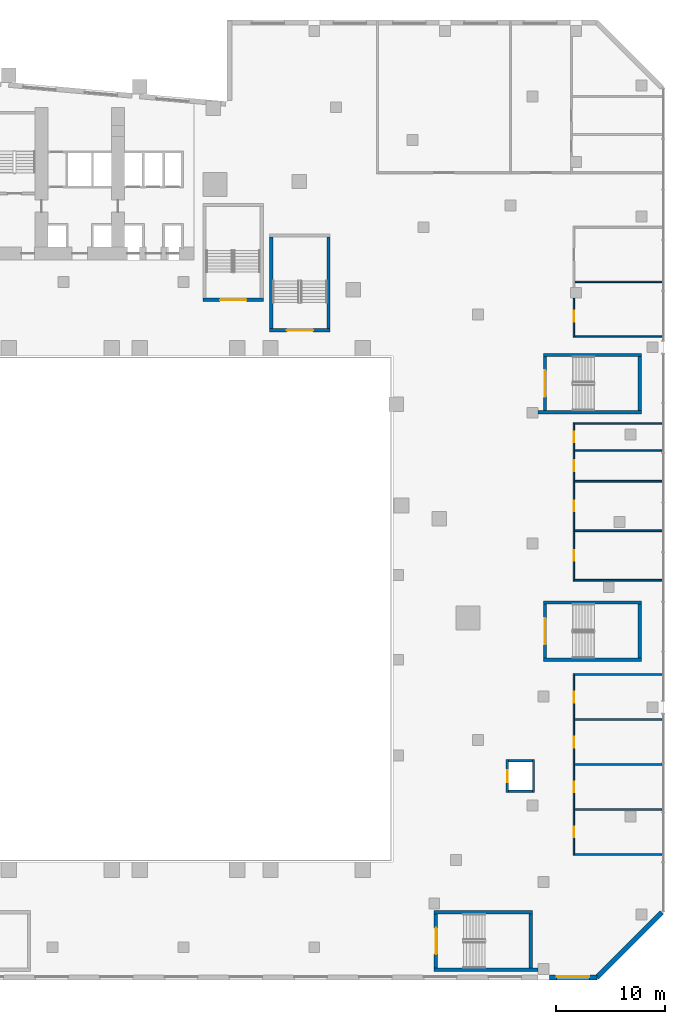
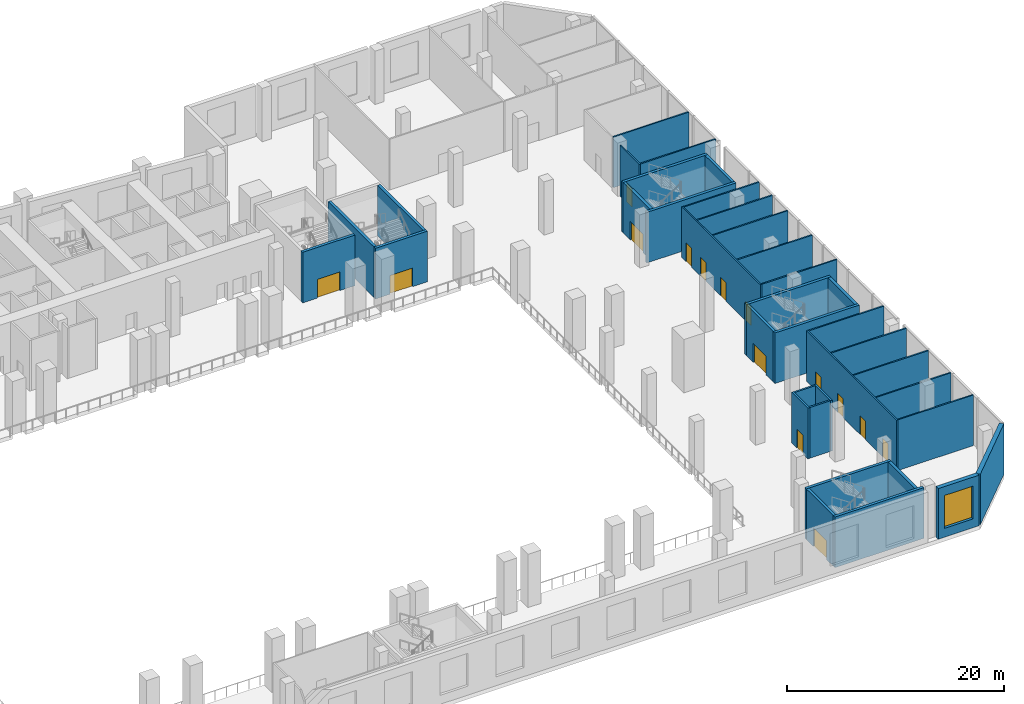
# One storey, part 13 of 30: 37 walls, 15 doors, 1 window, 16 openings.
"""IFC4 building model written with IfcOpenShell, lengths in metres."""

from ifc_helpers import new_model, si_unit, direction, frame, frame_2d, origin, place, context, subcontext, project, spatial, rectangle, extrude, material, layer, layer_set, type_object, element, fill, save


model = new_model("IFC4")

# Units and contexts
model_context = context("Model", 3, precision=1e-05, world=origin(), true_north=direction((0.0, 1.0)))
body_context = subcontext(model_context, "Body", "Model", "MODEL_VIEW")
ifc_project = project(units=[si_unit("LENGTHUNIT", "METRE"), si_unit("AREAUNIT", "SQUARE_METRE"), si_unit("VOLUMEUNIT", "CUBIC_METRE"), si_unit("PLANEANGLEUNIT", "RADIAN"), si_unit("MASSUNIT", "GRAM", prefix="KILO")], contexts=[model_context])

# Site, building, storey
site_placement = place(None, origin())
site = spatial("IfcSite", under=ifc_project, at=site_placement, CompositionType="ELEMENT")
building_placement = place(site_placement, origin())
building = spatial("IfcBuilding", under=site, at=building_placement, Name="Wharfspan Tower", CompositionType="ELEMENT")
storey_placement = place(building_placement, frame((0.0, 0.0, 21.5)))
storey = spatial("IfcBuildingStorey", under=building, at=storey_placement, Name="L03", CompositionType="ELEMENT", Elevation=21.5)

# Walls
ifc_material_1 = material(Name="Calcium silicate masonry", Category="masonry")
ifc_layer_1 = layer(ifc_material_1, 0.149902)
ifc_layer_set_1 = layer_set([ifc_layer_1], Name="Calcium silicate masonry")
wall_type_1 = type_object("IfcWallType", Name="Podium room wall 150", PredefinedType="PARTITIONING", material=ifc_layer_set_1)
for number, where, z_axis, x_axis, name in (
    (1, (99.875, -20.5, 0.0), (0.0, 0.0, 1.0), (1.0, 0.0, 0.0), "iw:L03:2"),
    (2, (99.875, -16.375, 0.0), (0.0, 0.0, 1.0), (1.0, 0.0, 0.0), "iw:L03:7"),
    (3, (99.875, -12.25, 0.0), (0.0, 0.0, 1.0), (1.0, 0.0, 0.0), "iw:L03:9"),
    (4, (99.875, -8.125, 0.0), (0.0, 0.0, 1.0), (1.0, 0.0, 0.0), "iw:L03:11"),
    (5, (99.875, -4.0, 0.0), (0.0, 0.0, 1.0), (1.0, 0.0, 0.0), "iw:L03:13"),
    (6, (99.875, 19.0, 0.0), (0.0, 0.0, 1.0), (1.0, 0.0, 0.0), "iw:L03:19"),
    (7, (99.875, 4.649902, 0.0), (0.0, 0.0, 1.0), (1.0, 0.0, 0.0), "iw:L03:20"),
    (8, (99.875, 9.181885, 0.0), (0.0, 0.0, 1.0), (1.0, 0.0, 0.0), "iw:L03:21"),
):
    element("IfcWall", number, at=place(storey_placement, frame(where, z_axis=z_axis, x_axis=x_axis)), inside=storey, type_object=wall_type_1, Name=name, PredefinedType="PARTITIONING", context=body_context, shape_type="SweptSolid", body=[
        extrude(rectangle(XDim=8.02002, YDim=0.149902, at=frame_2d((4.01001, 0.0))), origin(), (0.0, 0.0, 1.0), 5.699951),
    ])

# Wall, openings, doors
wall_1_placement = place(storey_placement, frame((99.800049, -20.574951, 0.0), z_axis=(0.0, 0.0, 1.0), x_axis=(0.0, 1.0, 0.0)))
wall_1 = element("IfcWall", 9, at=wall_1_placement, inside=storey, type_object=wall_type_1, Name="iw:L03:22", PredefinedType="PARTITIONING", context=body_context, shape_type="SweptSolid", body=[
    extrude(rectangle(XDim=16.649902, YDim=0.149902, at=frame_2d((8.324951, 0.0))), origin(), (0.0, 0.0, 1.0), 5.699951),
])
opening_1_placement = place(wall_1_placement, frame((1.637451, 0.0, 0.0)))
opening_1 = element("IfcOpeningElement", 10, at=opening_1_placement, cuts=wall_1, Name="Opening PD03.16", PredefinedType="OPENING", context=body_context, shape_type="SweptSolid", body=[
    extrude(rectangle(XDim=1.0, YDim=2.100098, at=frame_2d((0.5, 1.050049))), frame((0.0, 0.084961, 0.0), z_axis=(0.0, -1.0, 0.0), x_axis=(1.0, 0.0, 0.0)), (0.0, 0.0, 1.0), 0.169922),
])
opening_2_placement = place(wall_1_placement, frame((5.762451, 0.0, 0.0)))
opening_2 = element("IfcOpeningElement", 11, at=opening_2_placement, cuts=wall_1, Name="Opening PD03.17", PredefinedType="OPENING", context=body_context, shape_type="SweptSolid", body=[
    extrude(rectangle(XDim=1.0, YDim=2.100098, at=frame_2d((0.5, 1.050049))), frame((0.0, 0.084961, 0.0), z_axis=(0.0, -1.0, 0.0), x_axis=(1.0, 0.0, 0.0)), (0.0, 0.0, 1.0), 0.169922),
])
opening_3_placement = place(wall_1_placement, frame((9.887451, 0.0, 0.0)))
opening_3 = element("IfcOpeningElement", 12, at=opening_3_placement, cuts=wall_1, Name="Opening PD03.18", PredefinedType="OPENING", context=body_context, shape_type="SweptSolid", body=[
    extrude(rectangle(XDim=1.0, YDim=2.100098, at=frame_2d((0.5, 1.050049))), frame((0.0, 0.084961, 0.0), z_axis=(0.0, -1.0, 0.0), x_axis=(1.0, 0.0, 0.0)), (0.0, 0.0, 1.0), 0.169922),
])
opening_4_placement = place(wall_1_placement, frame((14.012451, 0.0, 0.0)))
opening_4 = element("IfcOpeningElement", 13, at=opening_4_placement, cuts=wall_1, Name="Opening PD03.19", PredefinedType="OPENING", context=body_context, shape_type="SweptSolid", body=[
    extrude(rectangle(XDim=1.0, YDim=2.100098, at=frame_2d((0.5, 1.050049))), frame((0.0, 0.084961, 0.0), z_axis=(0.0, -1.0, 0.0), x_axis=(1.0, 0.0, 0.0)), (0.0, 0.0, 1.0), 0.169922),
])
ifc_material_2 = material(Name="Steel door leaf", Category="steel")
door_type_1 = type_object("IfcDoorType", Name="Podium room door 1000x2100", OperationType="SINGLE_SWING_LEFT", PredefinedType="DOOR", material=ifc_material_2)
door_1_placement = place(opening_1_placement, origin())
door_1 = element("IfcDoor", 14, at=door_1_placement, inside=storey, type_object=door_type_1, Name="id:L03:16", OperationType="SINGLE_SWING_LEFT", OverallHeight=2.100098, OverallWidth=1.0, PredefinedType="DOOR", context=body_context, shape_type="SweptSolid", body=[
    extrude(rectangle(XDim=1.0, YDim=2.100098, at=frame_2d((0.5, 1.050049))), frame((0.0, 0.024902, 0.0), z_axis=(0.0, -1.0, 0.0), x_axis=(1.0, 0.0, 0.0)), (0.0, 0.0, 1.0), 0.050049),
])
fill(opening_1, door_1)
door_2_placement = place(opening_2_placement, origin())
door_2 = element("IfcDoor", 15, at=door_2_placement, inside=storey, type_object=door_type_1, Name="id:L03:17", OperationType="SINGLE_SWING_RIGHT", OverallHeight=2.100098, OverallWidth=1.0, PredefinedType="DOOR", context=body_context, shape_type="SweptSolid", body=[
    extrude(rectangle(XDim=1.0, YDim=2.100098, at=frame_2d((0.5, 1.050049))), frame((0.0, 0.024902, 0.0), z_axis=(0.0, -1.0, 0.0), x_axis=(1.0, 0.0, 0.0)), (0.0, 0.0, 1.0), 0.050049),
])
fill(opening_2, door_2)
door_3_placement = place(opening_3_placement, origin())
door_3 = element("IfcDoor", 16, at=door_3_placement, inside=storey, type_object=door_type_1, Name="id:L03:18", OperationType="SINGLE_SWING_LEFT", OverallHeight=2.100098, OverallWidth=1.0, PredefinedType="DOOR", context=body_context, shape_type="SweptSolid", body=[
    extrude(rectangle(XDim=1.0, YDim=2.100098, at=frame_2d((0.5, 1.050049))), frame((0.0, 0.024902, 0.0), z_axis=(0.0, -1.0, 0.0), x_axis=(1.0, 0.0, 0.0)), (0.0, 0.0, 1.0), 0.050049),
])
fill(opening_3, door_3)
door_4_placement = place(opening_4_placement, origin())
door_4 = element("IfcDoor", 17, at=door_4_placement, inside=storey, type_object=door_type_1, Name="id:L03:19", OperationType="SINGLE_SWING_RIGHT", OverallHeight=2.100098, OverallWidth=1.0, PredefinedType="DOOR", context=body_context, shape_type="SweptSolid", body=[
    extrude(rectangle(XDim=1.0, YDim=2.100098, at=frame_2d((0.5, 1.050049))), frame((0.0, 0.024902, 0.0), z_axis=(0.0, -1.0, 0.0), x_axis=(1.0, 0.0, 0.0)), (0.0, 0.0, 1.0), 0.050049),
])
fill(opening_4, door_4)

wall_2_placement = place(storey_placement, frame((99.800049, 4.574951, 0.0), z_axis=(0.0, 0.0, 1.0), x_axis=(0.0, 1.0, 0.0)))
wall_2 = element("IfcWall", 18, at=wall_2_placement, inside=storey, type_object=wall_type_1, Name="iw:L03:23", PredefinedType="PARTITIONING", context=body_context, shape_type="SweptSolid", body=[
    extrude(rectangle(XDim=14.5, YDim=0.149902, at=frame_2d((7.25, 0.0))), origin(), (0.0, 0.0, 1.0), 5.699951),
])
opening_5_placement = place(wall_2_placement, frame((1.84082, 0.0, 0.0)))
opening_5 = element("IfcOpeningElement", 19, at=opening_5_placement, cuts=wall_2, Name="Opening PD03.9", PredefinedType="OPENING", context=body_context, shape_type="SweptSolid", body=[
    extrude(rectangle(XDim=1.0, YDim=2.100098, at=frame_2d((0.5, 1.050049))), frame((0.0, 0.084961, 0.0), z_axis=(0.0, -1.0, 0.0), x_axis=(1.0, 0.0, 0.0)), (0.0, 0.0, 1.0), 0.169922),
])
opening_6_placement = place(wall_2_placement, frame((6.372314, 0.0, 0.0)))
opening_6 = element("IfcOpeningElement", 20, at=opening_6_placement, cuts=wall_2, Name="Opening PD03.10", PredefinedType="OPENING", context=body_context, shape_type="SweptSolid", body=[
    extrude(rectangle(XDim=1.0, YDim=2.100098, at=frame_2d((0.5, 1.050049))), frame((0.0, 0.084961, 0.0), z_axis=(0.0, -1.0, 0.0), x_axis=(1.0, 0.0, 0.0)), (0.0, 0.0, 1.0), 0.169922),
])
opening_7_placement = place(wall_2_placement, frame((10.054199, 0.0, 0.0)))
opening_7 = element("IfcOpeningElement", 21, at=opening_7_placement, cuts=wall_2, Name="Opening PD03.11", PredefinedType="OPENING", context=body_context, shape_type="SweptSolid", body=[
    extrude(rectangle(XDim=1.0, YDim=2.100098, at=frame_2d((0.5, 1.050049))), frame((0.0, 0.084961, 0.0), z_axis=(0.0, -1.0, 0.0), x_axis=(1.0, 0.0, 0.0)), (0.0, 0.0, 1.0), 0.169922),
])
opening_8_placement = place(wall_2_placement, frame((12.697754, 0.0, 0.0)))
opening_8 = element("IfcOpeningElement", 22, at=opening_8_placement, cuts=wall_2, Name="Opening PD03.12", PredefinedType="OPENING", context=body_context, shape_type="SweptSolid", body=[
    extrude(rectangle(XDim=1.0, YDim=2.100098, at=frame_2d((0.5, 1.050049))), frame((0.0, 0.084961, 0.0), z_axis=(0.0, -1.0, 0.0), x_axis=(1.0, 0.0, 0.0)), (0.0, 0.0, 1.0), 0.169922),
])
door_5_placement = place(opening_5_placement, origin())
door_5 = element("IfcDoor", 23, at=door_5_placement, inside=storey, type_object=door_type_1, Name="id:L03:9", OperationType="SINGLE_SWING_RIGHT", OverallHeight=2.100098, OverallWidth=1.0, PredefinedType="DOOR", context=body_context, shape_type="SweptSolid", body=[
    extrude(rectangle(XDim=1.0, YDim=2.100098, at=frame_2d((0.5, 1.050049))), frame((0.0, 0.024902, 0.0), z_axis=(0.0, -1.0, 0.0), x_axis=(1.0, 0.0, 0.0)), (0.0, 0.0, 1.0), 0.050049),
])
fill(opening_5, door_5)
door_6_placement = place(opening_6_placement, origin())
door_6 = element("IfcDoor", 24, at=door_6_placement, inside=storey, type_object=door_type_1, Name="id:L03:10", OperationType="SINGLE_SWING_LEFT", OverallHeight=2.100098, OverallWidth=1.0, PredefinedType="DOOR", context=body_context, shape_type="SweptSolid", body=[
    extrude(rectangle(XDim=1.0, YDim=2.100098, at=frame_2d((0.5, 1.050049))), frame((0.0, 0.024902, 0.0), z_axis=(0.0, -1.0, 0.0), x_axis=(1.0, 0.0, 0.0)), (0.0, 0.0, 1.0), 0.050049),
])
fill(opening_6, door_6)
door_7_placement = place(opening_7_placement, origin())
door_7 = element("IfcDoor", 25, at=door_7_placement, inside=storey, type_object=door_type_1, Name="id:L03:11", OperationType="SINGLE_SWING_RIGHT", OverallHeight=2.100098, OverallWidth=1.0, PredefinedType="DOOR", context=body_context, shape_type="SweptSolid", body=[
    extrude(rectangle(XDim=1.0, YDim=2.100098, at=frame_2d((0.5, 1.050049))), frame((0.0, 0.024902, 0.0), z_axis=(0.0, -1.0, 0.0), x_axis=(1.0, 0.0, 0.0)), (0.0, 0.0, 1.0), 0.050049),
])
fill(opening_7, door_7)
door_8_placement = place(opening_8_placement, origin())
door_8 = element("IfcDoor", 26, at=door_8_placement, inside=storey, type_object=door_type_1, Name="id:L03:12", OperationType="SINGLE_SWING_LEFT", OverallHeight=2.100098, OverallWidth=1.0, PredefinedType="DOOR", context=body_context, shape_type="SweptSolid", body=[
    extrude(rectangle(XDim=1.0, YDim=2.100098, at=frame_2d((0.5, 1.050049))), frame((0.0, 0.024902, 0.0), z_axis=(0.0, -1.0, 0.0), x_axis=(1.0, 0.0, 0.0)), (0.0, 0.0, 1.0), 0.050049),
])
fill(opening_8, door_8)

# Wall, opening, door
wall_3_placement = place(storey_placement, frame((99.800049, 26.925049, 0.0), z_axis=(0.0, 0.0, 1.0), x_axis=(0.0, 1.0, 0.0)))
wall_3 = element("IfcWall", 27, at=wall_3_placement, inside=storey, type_object=wall_type_1, Name="iw:L03:24", PredefinedType="PARTITIONING", context=body_context, shape_type="SweptSolid", body=[
    extrude(rectangle(XDim=3.564941, YDim=0.149902, at=frame_2d((1.782471, 0.0))), origin(), (0.0, 0.0, 1.0), 5.699951),
])
opening_9_placement = place(wall_3_placement, frame((1.419922, 0.0, 0.0)))
opening_9 = element("IfcOpeningElement", 28, at=opening_9_placement, cuts=wall_3, Name="Opening PD03.20", PredefinedType="OPENING", context=body_context, shape_type="SweptSolid", body=[
    extrude(rectangle(XDim=1.0, YDim=2.100098, at=frame_2d((0.5, 1.050049))), frame((0.0, 0.084961, 0.0), z_axis=(0.0, -1.0, 0.0), x_axis=(1.0, 0.0, 0.0)), (0.0, 0.0, 1.0), 0.169922),
])
door_9_placement = place(opening_9_placement, origin())
door_9 = element("IfcDoor", 29, at=door_9_placement, inside=storey, type_object=door_type_1, Name="id:L03:20", OperationType="SINGLE_SWING_LEFT", OverallHeight=2.100098, OverallWidth=1.0, PredefinedType="DOOR", context=body_context, shape_type="SweptSolid", body=[
    extrude(rectangle(XDim=1.0, YDim=2.100098, at=frame_2d((0.5, 1.050049))), frame((0.0, 0.024902, 0.0), z_axis=(0.0, -1.0, 0.0), x_axis=(1.0, 0.0, 0.0)), (0.0, 0.0, 1.0), 0.050049),
])
fill(opening_9, door_9)

# Walls
for number, where, z_axis, x_axis, name in (
    (30, (99.875, 13.712891, 0.0), (0.0, 0.0, 1.0), (1.0, 0.0, 0.0), "iw:L03:26"),
    (31, (99.875, 16.544922, 0.0), (0.0, 0.0, 1.0), (1.0, 0.0, 0.0), "iw:L03:27"),
    (32, (99.875, 27.0, 0.0), (0.0, 0.0, 1.0), (1.0, 0.0, 0.0), "iw:L03:33"),
    (33, (99.875, 32.0, 0.0), (0.0, 0.0, 1.0), (1.0, 0.0, 0.0), "iw:L03:34"),
):
    element("IfcWall", number, at=place(storey_placement, frame(where, z_axis=z_axis, x_axis=x_axis)), inside=storey, type_object=wall_type_1, Name=name, PredefinedType="PARTITIONING", context=body_context, shape_type="SweptSolid", body=[
        extrude(rectangle(XDim=8.02002, YDim=0.149902, at=frame_2d((4.01001, 0.0))), origin(), (0.0, 0.0, 1.0), 5.699951),
    ])

# Wall, opening, door
ifc_material_3 = material(Name="Concrete C30/37", Category="concrete")
ifc_layer_2 = layer(ifc_material_3, 0.199951)
ifc_layer_set_2 = layer_set([ifc_layer_2], Name="Concrete C30/37")
wall_type_2 = type_object("IfcWallType", Name="Podium shaft wall 200", PredefinedType="PARTITIONING", material=ifc_layer_set_2)
wall_4_placement = place(storey_placement, frame((93.699951, -14.800049, 0.0), z_axis=(0.0, 0.0, 1.0), x_axis=(0.0, 1.0, 0.0)))
wall_4 = element("IfcWall", 34, at=wall_4_placement, inside=storey, type_object=wall_type_2, Name="pl:LP4:L03:W", PredefinedType="PARTITIONING", context=body_context, shape_type="SweptSolid", body=[
    extrude(rectangle(XDim=3.0, YDim=0.199951, at=frame_2d((1.5, 0.0))), origin(), (0.0, 0.0, 1.0), 5.699951),
])
opening_10_placement = place(wall_4_placement, frame((0.949951, 0.0, 0.0)))
opening_10 = element("IfcOpeningElement", 35, at=opening_10_placement, cuts=wall_4, Name="Opening LDP4.L03", PredefinedType="OPENING", context=body_context, shape_type="SweptSolid", body=[
    extrude(rectangle(XDim=1.100098, YDim=2.100098, at=frame_2d((0.550049, 1.050049))), frame((0.0, 0.109863, 0.0), z_axis=(0.0, -1.0, 0.0), x_axis=(1.0, 0.0, 0.0)), (0.0, 0.0, 1.0), 0.219971),
])
ifc_material_4 = material(Name="Stainless steel", Category="steel")
door_type_2 = type_object("IfcDoorType", Name="Podium lift landing door 1100x2100", OperationType="DOUBLE_DOOR_SLIDING", PredefinedType="DOOR", material=ifc_material_4)
door_10_placement = place(opening_10_placement, origin())
door_10 = element("IfcDoor", 36, at=door_10_placement, inside=storey, type_object=door_type_2, Name="Landing door LP4 L03", OperationType="DOUBLE_DOOR_SLIDING", OverallHeight=2.100098, OverallWidth=1.100098, PredefinedType="DOOR", context=body_context, shape_type="SweptSolid", body=[
    extrude(rectangle(XDim=1.100098, YDim=2.100098, at=frame_2d((0.550049, 1.050049))), frame((0.0, 0.024902, 0.0), z_axis=(0.0, -1.0, 0.0), x_axis=(1.0, 0.0, 0.0)), (0.0, 0.0, 1.0), 0.050049),
])
fill(opening_10, door_10)

# Walls
wall_5_placement = place(storey_placement, frame((96.100098, -14.800049, 0.0), z_axis=(0.0, 0.0, 1.0), x_axis=(0.0, 1.0, 0.0)))
element("IfcWall", 37, at=wall_5_placement, inside=storey, type_object=wall_type_2, Name="pl:LP4:L03:E", PredefinedType="PARTITIONING", context=body_context, shape_type="SweptSolid", body=[
    extrude(rectangle(XDim=3.0, YDim=0.199951, at=frame_2d((1.5, 0.0))), origin(), (0.0, 0.0, 1.0), 5.699951),
])
for number, where, z_axis, x_axis, name in (
    (38, (93.800049, -14.699951, 0.0), (0.0, 0.0, 1.0), (1.0, 0.0, 0.0), "pl:LP4:L03:S"),
    (39, (93.800049, -11.899902, 0.0), (0.0, 0.0, 1.0), (1.0, 0.0, 0.0), "pl:LP4:L03:N"),
):
    element("IfcWall", number, at=place(storey_placement, frame(where, z_axis=z_axis, x_axis=x_axis)), inside=storey, type_object=wall_type_2, Name=name, PredefinedType="PARTITIONING", context=body_context, shape_type="SweptSolid", body=[
        extrude(rectangle(XDim=2.199951, YDim=0.199951, at=frame_2d((1.100098, 0.0))), origin(), (0.0, 0.0, 1.0), 5.699951),
    ])
ifc_material_5 = material(Name="Concrete C40/50", Category="concrete")
ifc_layer_3 = layer(ifc_material_5, 0.300049)
ifc_layer_set_3 = layer_set([ifc_layer_3], Name="Concrete C40/50")
wall_type_3 = type_object("IfcWallType", Name="Podium stair core wall 300", PredefinedType="SHEAR", material=ifc_layer_set_3)
wall_6_placement = place(storey_placement, frame((87.0, -31.050049, 0.0), z_axis=(0.0, 0.0, 1.0), x_axis=(1.0, 0.0, 0.0)))
element("IfcWall", 40, at=wall_6_placement, inside=storey, type_object=wall_type_3, Name="iw:L03:AS2S", PredefinedType="SHEAR", context=body_context, shape_type="SweptSolid", body=[
    extrude(rectangle(XDim=9.5, YDim=0.300049, at=frame_2d((4.75, 0.0))), origin(), (0.0, 0.0, 1.0), 5.699951),
])
wall_7_placement = place(storey_placement, frame((87.0, -25.800049, 0.0), z_axis=(0.0, 0.0, 1.0), x_axis=(1.0, 0.0, 0.0)))
element("IfcWall", 41, at=wall_7_placement, inside=storey, type_object=wall_type_3, Name="iw:L03:AS2N", PredefinedType="SHEAR", context=body_context, shape_type="SweptSolid", body=[
    extrude(rectangle(XDim=9.0, YDim=0.300049, at=frame_2d((4.5, 0.0))), origin(), (0.0, 0.0, 1.0), 5.699951),
])

# Wall, opening, door
wall_8_placement = place(storey_placement, frame((87.149902, -30.899902, 0.0), z_axis=(0.0, 0.0, 1.0), x_axis=(0.0, 1.0, 0.0)))
wall_8 = element("IfcWall", 42, at=wall_8_placement, inside=storey, type_object=wall_type_3, Name="iw:L03:AS2W", PredefinedType="SHEAR", context=body_context, shape_type="SweptSolid", body=[
    extrude(rectangle(XDim=4.949951, YDim=0.300049, at=frame_2d((2.475098, 0.0))), origin(), (0.0, 0.0, 1.0), 5.699951),
])
opening_11_placement = place(wall_8_placement, frame((1.274902, 0.0, 0.0)))
opening_11 = element("IfcOpeningElement", 43, at=opening_11_placement, cuts=wall_8, Name="Opening SDAS2.L03", PredefinedType="OPENING", context=body_context, shape_type="SweptSolid", body=[
    extrude(rectangle(XDim=2.399902, YDim=2.100098, at=frame_2d((1.199951, 1.050049))), frame((0.0, 0.159912, 0.0), z_axis=(0.0, -1.0, 0.0), x_axis=(1.0, 0.0, 0.0)), (0.0, 0.0, 1.0), 0.320068),
])
door_type_3 = type_object("IfcDoorType", Name="Podium stair door 2400x2100", OperationType="DOUBLE_DOOR_SINGLE_SWING", PredefinedType="DOOR", material=ifc_material_2)
door_11_placement = place(opening_11_placement, origin())
door_11 = element("IfcDoor", 44, at=door_11_placement, inside=storey, type_object=door_type_3, Name="id:L03:AS2", OperationType="DOUBLE_DOOR_SINGLE_SWING", OverallHeight=2.100098, OverallWidth=2.399902, PredefinedType="DOOR", context=body_context, shape_type="SweptSolid", body=[
    extrude(rectangle(XDim=2.399902, YDim=2.100098, at=frame_2d((1.199951, 1.050049))), frame((0.0, 0.024902, 0.0), z_axis=(0.0, -1.0, 0.0), x_axis=(1.0, 0.0, 0.0)), (0.0, 0.0, 1.0), 0.050049),
])
fill(opening_11, door_11)

# Walls
wall_9_placement = place(storey_placement, frame((95.850098, -30.899902, 0.0), z_axis=(0.0, 0.0, 1.0), x_axis=(0.0, 1.0, 0.0)))
element("IfcWall", 45, at=wall_9_placement, inside=storey, type_object=wall_type_3, Name="iw:L03:AS2E", PredefinedType="SHEAR", context=body_context, shape_type="SweptSolid", body=[
    extrude(rectangle(XDim=4.949951, YDim=0.300049, at=frame_2d((2.475098, 0.0))), origin(), (0.0, 0.0, 1.0), 5.699951),
])
for number, where, z_axis, x_axis, name in (
    (46, (97.0, -2.649902, 0.0), (0.0, 0.0, 1.0), (1.0, 0.0, 0.0), "iw:L03:AS8S"),
    (47, (97.0, 2.600098, 0.0), (0.0, 0.0, 1.0), (1.0, 0.0, 0.0), "iw:L03:AS8N"),
):
    element("IfcWall", number, at=place(storey_placement, frame(where, z_axis=z_axis, x_axis=x_axis)), inside=storey, type_object=wall_type_3, Name=name, PredefinedType="SHEAR", context=body_context, shape_type="SweptSolid", body=[
        extrude(rectangle(XDim=9.0, YDim=0.300049, at=frame_2d((4.5, 0.0))), origin(), (0.0, 0.0, 1.0), 5.699951),
    ])

# Wall, opening, door
wall_10_placement = place(storey_placement, frame((97.149902, -2.5, 0.0), z_axis=(0.0, 0.0, 1.0), x_axis=(0.0, 1.0, 0.0)))
wall_10 = element("IfcWall", 48, at=wall_10_placement, inside=storey, type_object=wall_type_3, Name="iw:L03:AS8W", PredefinedType="SHEAR", context=body_context, shape_type="SweptSolid", body=[
    extrude(rectangle(XDim=4.949951, YDim=0.300049, at=frame_2d((2.475098, 0.0))), origin(), (0.0, 0.0, 1.0), 5.699951),
])
opening_12_placement = place(wall_10_placement, frame((1.274902, 0.0, 0.0)))
opening_12 = element("IfcOpeningElement", 49, at=opening_12_placement, cuts=wall_10, Name="Opening SDAS8.L03", PredefinedType="OPENING", context=body_context, shape_type="SweptSolid", body=[
    extrude(rectangle(XDim=2.399902, YDim=2.100098, at=frame_2d((1.199951, 1.050049))), frame((0.0, 0.159912, 0.0), z_axis=(0.0, -1.0, 0.0), x_axis=(1.0, 0.0, 0.0)), (0.0, 0.0, 1.0), 0.320068),
])
door_12_placement = place(opening_12_placement, origin())
door_12 = element("IfcDoor", 50, at=door_12_placement, inside=storey, type_object=door_type_3, Name="id:L03:AS8", OperationType="DOUBLE_DOOR_SINGLE_SWING", OverallHeight=2.100098, OverallWidth=2.399902, PredefinedType="DOOR", context=body_context, shape_type="SweptSolid", body=[
    extrude(rectangle(XDim=2.399902, YDim=2.100098, at=frame_2d((1.199951, 1.050049))), frame((0.0, 0.024902, 0.0), z_axis=(0.0, -1.0, 0.0), x_axis=(1.0, 0.0, 0.0)), (0.0, 0.0, 1.0), 0.050049),
])
fill(opening_12, door_12)

# Walls
wall_11_placement = place(storey_placement, frame((105.850098, -2.5, 0.0), z_axis=(0.0, 0.0, 1.0), x_axis=(0.0, 1.0, 0.0)))
element("IfcWall", 51, at=wall_11_placement, inside=storey, type_object=wall_type_3, Name="iw:L03:AS8E", PredefinedType="SHEAR", context=body_context, shape_type="SweptSolid", body=[
    extrude(rectangle(XDim=4.949951, YDim=0.300049, at=frame_2d((2.475098, 0.0))), origin(), (0.0, 0.0, 1.0), 5.699951),
])
wall_12_placement = place(storey_placement, frame((96.5, 20.050049, 0.0), z_axis=(0.0, 0.0, 1.0), x_axis=(1.0, 0.0, 0.0)))
element("IfcWall", 52, at=wall_12_placement, inside=storey, type_object=wall_type_3, Name="iw:L03:AS4S", PredefinedType="SHEAR", context=body_context, shape_type="SweptSolid", body=[
    extrude(rectangle(XDim=9.5, YDim=0.300049, at=frame_2d((4.75, 0.0))), origin(), (0.0, 0.0, 1.0), 5.699951),
])
wall_13_placement = place(storey_placement, frame((97.0, 25.300049, 0.0), z_axis=(0.0, 0.0, 1.0), x_axis=(1.0, 0.0, 0.0)))
element("IfcWall", 53, at=wall_13_placement, inside=storey, type_object=wall_type_3, Name="iw:L03:AS4N", PredefinedType="SHEAR", context=body_context, shape_type="SweptSolid", body=[
    extrude(rectangle(XDim=9.0, YDim=0.300049, at=frame_2d((4.5, 0.0))), origin(), (0.0, 0.0, 1.0), 5.699951),
])

# Wall, opening, door
wall_14_placement = place(storey_placement, frame((97.149902, 20.199951, 0.0), z_axis=(0.0, 0.0, 1.0), x_axis=(0.0, 1.0, 0.0)))
wall_14 = element("IfcWall", 54, at=wall_14_placement, inside=storey, type_object=wall_type_3, Name="iw:L03:AS4W", PredefinedType="SHEAR", context=body_context, shape_type="SweptSolid", body=[
    extrude(rectangle(XDim=4.949951, YDim=0.300049, at=frame_2d((2.475098, 0.0))), origin(), (0.0, 0.0, 1.0), 5.699951),
])
opening_13_placement = place(wall_14_placement, frame((1.274902, 0.0, 0.0)))
opening_13 = element("IfcOpeningElement", 55, at=opening_13_placement, cuts=wall_14, Name="Opening SDAS4.L03", PredefinedType="OPENING", context=body_context, shape_type="SweptSolid", body=[
    extrude(rectangle(XDim=2.399902, YDim=2.100098, at=frame_2d((1.199951, 1.050049))), frame((0.0, 0.159912, 0.0), z_axis=(0.0, -1.0, 0.0), x_axis=(1.0, 0.0, 0.0)), (0.0, 0.0, 1.0), 0.320068),
])
door_13_placement = place(opening_13_placement, origin())
door_13 = element("IfcDoor", 56, at=door_13_placement, inside=storey, type_object=door_type_3, Name="id:L03:AS4", OperationType="DOUBLE_DOOR_SINGLE_SWING", OverallHeight=2.100098, OverallWidth=2.399902, PredefinedType="DOOR", context=body_context, shape_type="SweptSolid", body=[
    extrude(rectangle(XDim=2.399902, YDim=2.100098, at=frame_2d((1.199951, 1.050049))), frame((0.0, 0.024902, 0.0), z_axis=(0.0, -1.0, 0.0), x_axis=(1.0, 0.0, 0.0)), (0.0, 0.0, 1.0), 0.050049),
])
fill(opening_13, door_13)

# Wall
wall_15_placement = place(storey_placement, frame((105.850098, 20.199951, 0.0), z_axis=(0.0, 0.0, 1.0), x_axis=(0.0, 1.0, 0.0)))
element("IfcWall", 57, at=wall_15_placement, inside=storey, type_object=wall_type_3, Name="iw:L03:AS4E", PredefinedType="SHEAR", context=body_context, shape_type="SweptSolid", body=[
    extrude(rectangle(XDim=4.949951, YDim=0.300049, at=frame_2d((2.475098, 0.0))), origin(), (0.0, 0.0, 1.0), 5.699951),
])

# Wall, opening, door
wall_16_placement = place(storey_placement, frame((65.800049, 30.350098, 0.0), z_axis=(0.0, 0.0, 1.0), x_axis=(1.0, 0.0, 0.0)))
wall_16 = element("IfcWall", 58, at=wall_16_placement, inside=storey, type_object=wall_type_3, Name="iw:L03:PS4S", PredefinedType="SHEAR", context=body_context, shape_type="SweptSolid", body=[
    extrude(rectangle(XDim=5.550049, YDim=0.300049, at=frame_2d((2.774902, 0.0))), origin(), (0.0, 0.0, 1.0), 5.699951),
])
opening_14_placement = place(wall_16_placement, frame((1.574951, 0.0, 0.0)))
opening_14 = element("IfcOpeningElement", 59, at=opening_14_placement, cuts=wall_16, Name="Opening SDPS4.L03", PredefinedType="OPENING", context=body_context, shape_type="SweptSolid", body=[
    extrude(rectangle(XDim=2.399902, YDim=2.100098, at=frame_2d((1.199951, 1.050049))), frame((0.0, 0.159912, 0.0), z_axis=(0.0, -1.0, 0.0), x_axis=(1.0, 0.0, 0.0)), (0.0, 0.0, 1.0), 0.320068),
])
door_14_placement = place(opening_14_placement, origin())
door_14 = element("IfcDoor", 60, at=door_14_placement, inside=storey, type_object=door_type_3, Name="id:L03:PS4", OperationType="DOUBLE_DOOR_SINGLE_SWING", OverallHeight=2.100098, OverallWidth=2.399902, PredefinedType="DOOR", context=body_context, shape_type="SweptSolid", body=[
    extrude(rectangle(XDim=2.399902, YDim=2.100098, at=frame_2d((1.199951, 1.050049))), frame((0.0, 0.024902, 0.0), z_axis=(0.0, -1.0, 0.0), x_axis=(1.0, 0.0, 0.0)), (0.0, 0.0, 1.0), 0.050049),
])
fill(opening_14, door_14)

wall_17_placement = place(storey_placement, frame((71.91748, 27.550049, 0.0), z_axis=(0.0, 0.0, 1.0), x_axis=(1.0, 0.0, 0.0)))
wall_17 = element("IfcWall", 61, at=wall_17_placement, inside=storey, type_object=wall_type_3, Name="iw:L03:PS5S", PredefinedType="SHEAR", context=body_context, shape_type="SweptSolid", body=[
    extrude(rectangle(XDim=5.550049, YDim=0.300049, at=frame_2d((2.774902, 0.0))), origin(), (0.0, 0.0, 1.0), 5.699951),
])
opening_15_placement = place(wall_17_placement, frame((1.574951, 0.0, 0.0)))
opening_15 = element("IfcOpeningElement", 62, at=opening_15_placement, cuts=wall_17, Name="Opening SDPS5.L03", PredefinedType="OPENING", context=body_context, shape_type="SweptSolid", body=[
    extrude(rectangle(XDim=2.399902, YDim=2.100098, at=frame_2d((1.199951, 1.050049))), frame((0.0, 0.159912, 0.0), z_axis=(0.0, -1.0, 0.0), x_axis=(1.0, 0.0, 0.0)), (0.0, 0.0, 1.0), 0.320068),
])
door_15_placement = place(opening_15_placement, origin())
door_15 = element("IfcDoor", 63, at=door_15_placement, inside=storey, type_object=door_type_3, Name="id:L03:PS5", OperationType="DOUBLE_DOOR_SINGLE_SWING", OverallHeight=2.100098, OverallWidth=2.399902, PredefinedType="DOOR", context=body_context, shape_type="SweptSolid", body=[
    extrude(rectangle(XDim=2.399902, YDim=2.100098, at=frame_2d((1.199951, 1.050049))), frame((0.0, 0.024902, 0.0), z_axis=(0.0, -1.0, 0.0), x_axis=(1.0, 0.0, 0.0)), (0.0, 0.0, 1.0), 0.050049),
])
fill(opening_15, door_15)

# Walls
for number, where, z_axis, x_axis, name in (
    (64, (72.067383, 27.699951, 0.0), (0.0, 0.0, 1.0), (0.0, 1.0, 0.0), "iw:L03:PS5W"),
    (65, (77.317383, 27.699951, 0.0), (0.0, 0.0, 1.0), (0.0, 1.0, 0.0), "iw:L03:PS5E"),
):
    element("IfcWall", number, at=place(storey_placement, frame(where, z_axis=z_axis, x_axis=x_axis)), inside=storey, type_object=wall_type_3, Name=name, PredefinedType="SHEAR", context=body_context, shape_type="SweptSolid", body=[
        extrude(rectangle(XDim=8.400146, YDim=0.300049, at=frame_2d((4.200195, 0.0))), origin(), (0.0, 0.0, 1.0), 5.699951),
    ])

# Wall, opening, window
ifc_layer_4 = layer(ifc_material_5, 0.449951)
ifc_layer_set_4 = layer_set([ifc_layer_4], Name="Concrete C40/50")
wall_type_4 = type_object("IfcWallType", Name="WALL BOARD-MARKED CONCRETE 450", PredefinedType="SOLIDWALL", material=ifc_layer_set_4)
wall_18_placement = place(storey_placement, frame((97.550049, -31.774902, 0.0), z_axis=(0.0, 0.0, 1.0), x_axis=(1.0, 0.0, 0.0)))
wall_18 = element("IfcWall", 66, at=wall_18_placement, inside=storey, type_object=wall_type_4, Name="Podium wall PF1", PredefinedType="SOLIDWALL", context=body_context, shape_type="SweptSolid", body=[
    extrude(rectangle(XDim=4.349854, YDim=0.449951, at=frame_2d((2.174805, 0.0))), origin(), (0.0, 0.0, 1.0), 5.699951),
])
opening_16_placement = place(wall_18_placement, frame((0.675049, 0.0, 1.0)))
opening_16 = element("IfcOpeningElement", 67, at=opening_16_placement, cuts=wall_18, Name="Opening EWN3", PredefinedType="OPENING", context=body_context, shape_type="SweptSolid", body=[
    extrude(rectangle(XDim=3.0, YDim=3.699951, at=frame_2d((1.5, 1.850098))), frame((0.0, 0.234863, 0.0), z_axis=(0.0, -1.0, 0.0), x_axis=(1.0, 0.0, 0.0)), (0.0, 0.0, 1.0), 0.469971),
])
ifc_material_6 = material(Name="Aluminium 6063-T6", Category="aluminium")
window_type = type_object("IfcWindowType", Name="WINDOW 3000x3700", PartitioningType="SINGLE_PANEL", PredefinedType="WINDOW", material=ifc_material_6)
window_placement = place(opening_16_placement, origin())
window = element("IfcWindow", 68, at=window_placement, inside=storey, type_object=window_type, Name="Podium window", OverallHeight=3.699951, OverallWidth=3.0, PartitioningType="SINGLE_PANEL", PredefinedType="WINDOW", context=body_context, shape_type="SweptSolid", body=[
    extrude(rectangle(XDim=3.0, YDim=3.699951, at=frame_2d((1.5, 1.850098))), frame((0.0, 0.10498, 0.0), z_axis=(0.0, -1.0, 0.0), x_axis=(1.0, 0.0, 0.0)), (0.0, 0.0, 1.0), 0.060059),
])
fill(opening_16, window)

# Wall
wall_19_placement = place(storey_placement, frame((101.911621, -31.770264, 0.0), z_axis=(0.0, 0.0, 1.0), x_axis=(0.707092, 0.707121, 0.0)))
element("IfcWall", 69, at=wall_19_placement, inside=storey, type_object=wall_type_4, Name="Podium wall PF2", PredefinedType="SOLIDWALL", context=body_context, shape_type="SweptSolid", body=[
    extrude(rectangle(XDim=8.425293, YDim=0.449951, at=frame_2d((4.212646, 0.0))), origin(), (0.0, 0.0, 1.0), 5.699951),
])

save(model, "model.ifc")
